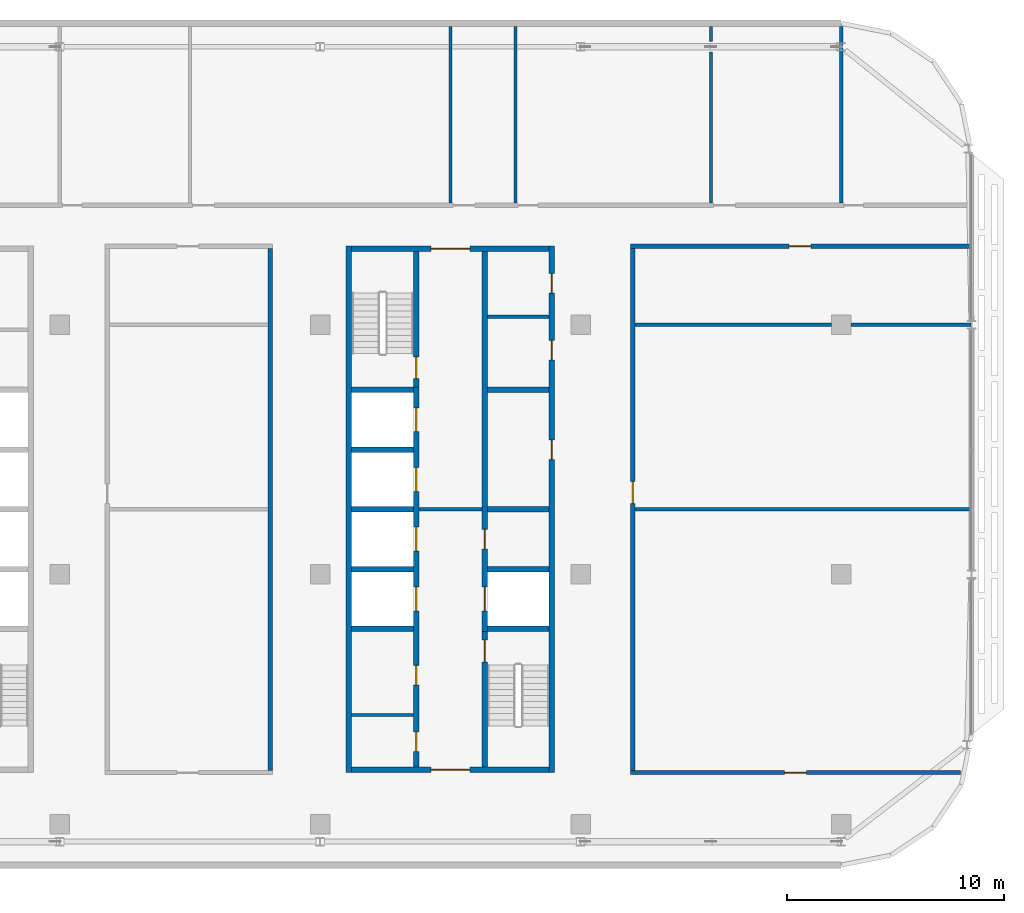
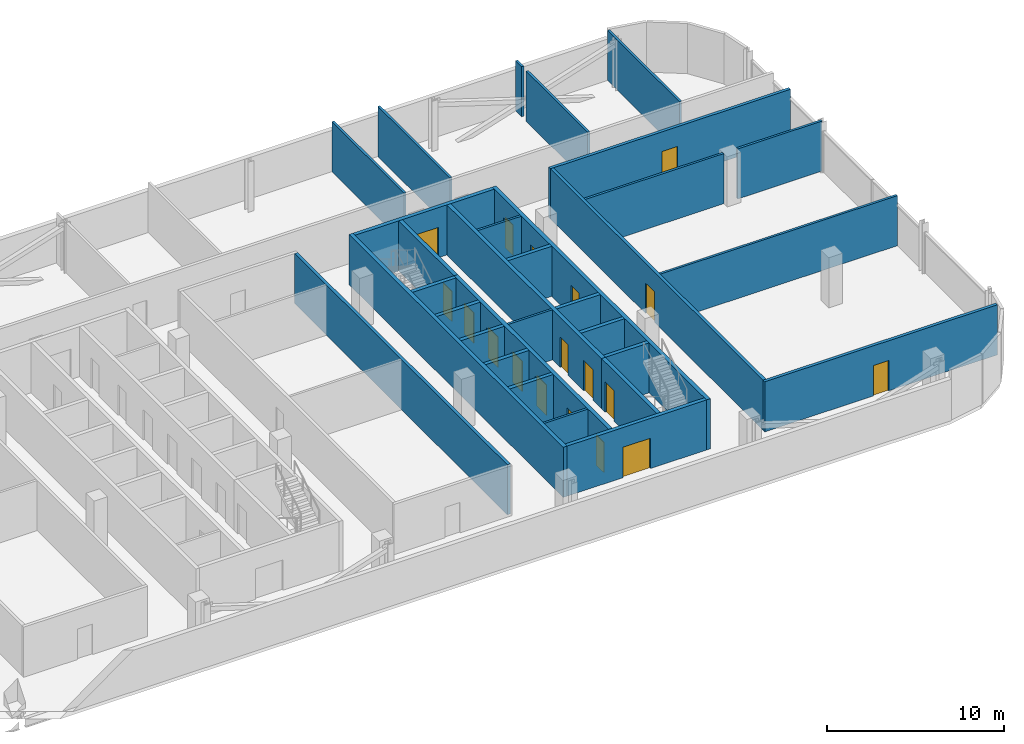
# One storey, part 18 of 28: 32 walls, 18 doors, 18 openings.
"""IFC4 building model written with IfcOpenShell, lengths in metres."""

from ifc_helpers import new_model, si_unit, direction, frame, frame_2d, origin, place, context, subcontext, project, spatial, rectangle, extrude, material, layer, layer_set, type_object, element, fill, save


model = new_model("IFC4")

# Units and contexts
model_context = context("Model", 3, precision=1e-05, world=origin(), true_north=direction((0.0, 1.0)))
body_context = subcontext(model_context, "Body", "Model", "MODEL_VIEW")
ifc_project = project(units=[si_unit("LENGTHUNIT", "METRE"), si_unit("AREAUNIT", "SQUARE_METRE"), si_unit("VOLUMEUNIT", "CUBIC_METRE"), si_unit("PLANEANGLEUNIT", "RADIAN"), si_unit("MASSUNIT", "GRAM", prefix="KILO")], contexts=[model_context])

# Site, building, storey
site_placement = place(None, origin())
site = spatial("IfcSite", under=ifc_project, at=site_placement, CompositionType="ELEMENT")
building_placement = place(site_placement, origin())
building = spatial("IfcBuilding", under=site, at=building_placement, Name="Mahtab Terrace Research Tower", CompositionType="ELEMENT")
storey_placement = place(building_placement, frame((0.0, 0.0, 270.89990234375)))
storey = spatial("IfcBuildingStorey", under=building, at=storey_placement, Name="L66", CompositionType="ELEMENT", Elevation=270.89990234375)

# Walls
ifc_material_1 = material(Name="Gypsum board partition")
ifc_layer_1 = layer(ifc_material_1, 0.14990234375)
ifc_layer_set_1 = layer_set([ifc_layer_1], Name="Core partition 150")
wall_type_1 = type_object("IfcWallType", Name="Core partition 150", PredefinedType="PARTITIONING", material=ifc_layer_set_1)
wall_1_placement = place(storey_placement, frame((22.550048828125, 3.0, 0.0), z_axis=(0.0, 0.0, 1.0), x_axis=(1.0, 0.0, 0.0)))
element("IfcWall", 1, at=wall_1_placement, inside=storey, type_object=wall_type_1, Name="Core wall C ffl", PredefinedType="PARTITIONING", context=body_context, shape_type="SweptSolid", body=[
    extrude(rectangle(XDim=2.89990234375, YDim=0.14990234375, at=frame_2d((1.449951171875, 0.0))), origin(), (0.0, 0.0, 1.0), 3.460205078125),
])
for number, where, z_axis, x_axis, name in (
    (2, (19.449951171875, -6.47509765625, 0.0), (0.0, 0.0, 1.0), (1.0, 0.0, 0.0), "Core wall C pWS-948"),
    (3, (25.699951171875, 11.875, 0.0), (0.0, 0.0, 1.0), (1.0, 0.0, 0.0), "Core wall C pEN888"),
):
    element("IfcWall", number, at=place(storey_placement, frame(where, z_axis=z_axis, x_axis=x_axis)), inside=storey, type_object=wall_type_1, Name=name, PredefinedType="PARTITIONING", context=body_context, shape_type="SweptSolid", body=[
        extrude(rectangle(XDim=2.85009765625, YDim=0.14990234375, at=frame_2d((1.425048828125, 0.0))), origin(), (0.0, 0.0, 1.0), 3.460205078125),
    ])
ifc_material_2 = material(Name="Concrete C70/85", Category="concrete")
ifc_layer_2 = layer(ifc_material_2, 0.25)
ifc_layer_set_2 = layer_set([ifc_layer_2], Name="Core wall 250")
wall_type_2 = type_object("IfcWallType", Name="Core wall 250", PredefinedType="SOLIDWALL", material=ifc_layer_set_2)
wall_2_placement = place(storey_placement, frame((19.324951171875, 15.125, 0.0), z_axis=(0.0, 0.0, 1.0), x_axis=(0.0, -1.0, 0.0)))
element("IfcWall", 4, at=wall_2_placement, inside=storey, type_object=wall_type_2, Name="Core wall C outerW", PredefinedType="SOLIDWALL", context=body_context, shape_type="SweptSolid", body=[
    extrude(rectangle(XDim=24.25, YDim=0.25, at=frame_2d((12.125, 0.0))), origin(), (0.0, 0.0, 1.0), 3.460205078125),
])

# Wall, openings, doors
wall_3_placement = place(storey_placement, frame((28.675048828125, -9.125, 0.0), z_axis=(0.0, 0.0, 1.0), x_axis=(0.0, 1.0, 0.0)))
wall_3 = element("IfcWall", 5, at=wall_3_placement, inside=storey, type_object=wall_type_2, Name="Core wall C outerE", PredefinedType="SOLIDWALL", context=body_context, shape_type="SweptSolid", body=[
    extrude(rectangle(XDim=24.25, YDim=0.25, at=frame_2d((12.125, 0.0))), origin(), (0.0, 0.0, 1.0), 3.460205078125),
])
opening_1_placement = place(wall_3_placement, frame((14.425048828125, 0.0, 0.0)))
opening_1 = element("IfcOpeningElement", 6, at=opening_1_placement, cuts=wall_3, Name="Opening C-R2", PredefinedType="OPENING", context=body_context, shape_type="SweptSolid", body=[
    extrude(rectangle(XDim=0.89990234375, YDim=2.10009765625, at=frame_2d((0.449951171875, 1.050048828125))), frame((0.0, 0.135009765625, 0.0), z_axis=(0.0, -1.0, 0.0), x_axis=(1.0, 0.0, 0.0)), (0.0, 0.0, 1.0), 0.27001953125),
])
opening_2_placement = place(wall_3_placement, frame((19.012451171875, 0.0, 0.0)))
opening_2 = element("IfcOpeningElement", 7, at=opening_2_placement, cuts=wall_3, Name="Opening C-R5", PredefinedType="OPENING", context=body_context, shape_type="SweptSolid", body=[
    extrude(rectangle(XDim=0.89990234375, YDim=2.10009765625, at=frame_2d((0.449951171875, 1.050048828125))), frame((0.0, 0.135009765625, 0.0), z_axis=(0.0, -1.0, 0.0), x_axis=(1.0, 0.0, 0.0)), (0.0, 0.0, 1.0), 0.27001953125),
])
opening_3_placement = place(wall_3_placement, frame((22.08740234375, 0.0, 0.0)))
opening_3 = element("IfcOpeningElement", 8, at=opening_3_placement, cuts=wall_3, Name="Opening C-R6", PredefinedType="OPENING", context=body_context, shape_type="SweptSolid", body=[
    extrude(rectangle(XDim=0.89990234375, YDim=2.10009765625, at=frame_2d((0.449951171875, 1.050048828125))), frame((0.0, 0.135009765625, 0.0), z_axis=(0.0, -1.0, 0.0), x_axis=(1.0, 0.0, 0.0)), (0.0, 0.0, 1.0), 0.27001953125),
])
ifc_material_3 = material(Name="Steel fire door", Category="steel")
door_type_1 = type_object("IfcDoorType", Name="Room door 900x2100 1 HR", OperationType="NOTDEFINED", PredefinedType="DOOR", material=ifc_material_3)
door_1_placement = place(opening_1_placement, origin())
door_1 = element("IfcDoor", 9, at=door_1_placement, inside=storey, type_object=door_type_1, Name="Plant room door", OperationType="SINGLE_SWING_RIGHT", OverallHeight=2.10009765625, OverallWidth=0.89990234375, PredefinedType="DOOR", context=body_context, shape_type="SweptSolid", body=[
    extrude(rectangle(XDim=0.89990234375, YDim=2.10009765625, at=frame_2d((0.449951171875, 1.050048828125))), frame((0.0, 0.02490234375, 0.0), z_axis=(0.0, -1.0, 0.0), x_axis=(1.0, 0.0, 0.0)), (0.0, 0.0, 1.0), 0.050048828125),
])
fill(opening_1, door_1)
door_2_placement = place(opening_2_placement, origin())
door_2 = element("IfcDoor", 10, at=door_2_placement, inside=storey, type_object=door_type_1, Name="Housekeeping store door", OperationType="SINGLE_SWING_LEFT", OverallHeight=2.10009765625, OverallWidth=0.89990234375, PredefinedType="DOOR", context=body_context, shape_type="SweptSolid", body=[
    extrude(rectangle(XDim=0.89990234375, YDim=2.10009765625, at=frame_2d((0.449951171875, 1.050048828125))), frame((0.0, 0.02490234375, 0.0), z_axis=(0.0, -1.0, 0.0), x_axis=(1.0, 0.0, 0.0)), (0.0, 0.0, 1.0), 0.050048828125),
])
fill(opening_2, door_2)
door_3_placement = place(opening_3_placement, origin())
door_3 = element("IfcDoor", 11, at=door_3_placement, inside=storey, type_object=door_type_1, Name="Electrical riser room door", OperationType="SINGLE_SWING_RIGHT", OverallHeight=2.10009765625, OverallWidth=0.89990234375, PredefinedType="DOOR", context=body_context, shape_type="SweptSolid", body=[
    extrude(rectangle(XDim=0.89990234375, YDim=2.10009765625, at=frame_2d((0.449951171875, 1.050048828125))), frame((0.0, 0.02490234375, 0.0), z_axis=(0.0, -1.0, 0.0), x_axis=(1.0, 0.0, 0.0)), (0.0, 0.0, 1.0), 0.050048828125),
])
fill(opening_3, door_3)

# Wall, opening, door
wall_4_placement = place(storey_placement, frame((28.550048828125, -9.0, 0.0), z_axis=(0.0, 0.0, 1.0), x_axis=(-1.0, 0.0, 0.0)))
wall_4 = element("IfcWall", 12, at=wall_4_placement, inside=storey, type_object=wall_type_2, Name="Core wall C endS", PredefinedType="SOLIDWALL", context=body_context, shape_type="SweptSolid", body=[
    extrude(rectangle(XDim=9.10009765625, YDim=0.25, at=frame_2d((4.550048828125, 0.0))), origin(), (0.0, 0.0, 1.0), 3.460205078125),
])
opening_4_placement = place(wall_4_placement, frame((3.64990234375, 0.0, 0.0)))
opening_4 = element("IfcOpeningElement", 13, at=opening_4_placement, cuts=wall_4, Name="Opening C-S1", PredefinedType="OPENING", context=body_context, shape_type="SweptSolid", body=[
    extrude(rectangle(XDim=1.800048828125, YDim=2.10009765625, at=frame_2d((0.89990234375, 1.050048828125))), frame((0.0, 0.135009765625, 0.0), z_axis=(0.0, -1.0, 0.0), x_axis=(1.0, 0.0, 0.0)), (0.0, 0.0, 1.0), 0.27001953125),
])
door_type_2 = type_object("IfcDoorType", Name="Lobby double door 1800x2100 1 HR", OperationType="DOUBLE_DOOR_SINGLE_SWING", PredefinedType="DOOR", material=ifc_material_3)
door_4_placement = place(opening_4_placement, origin())
door_4 = element("IfcDoor", 14, at=door_4_placement, inside=storey, type_object=door_type_2, Name="Core entrance door C S", OperationType="DOUBLE_DOOR_SINGLE_SWING", OverallHeight=2.10009765625, OverallWidth=1.800048828125, PredefinedType="DOOR", context=body_context, shape_type="SweptSolid", body=[
    extrude(rectangle(XDim=1.800048828125, YDim=2.10009765625, at=frame_2d((0.89990234375, 1.050048828125))), frame((0.0, 0.02490234375, 0.0), z_axis=(0.0, -1.0, 0.0), x_axis=(1.0, 0.0, 0.0)), (0.0, 0.0, 1.0), 0.050048828125),
])
fill(opening_4, door_4)

wall_5_placement = place(storey_placement, frame((19.449951171875, 15.0, 0.0), z_axis=(0.0, 0.0, 1.0), x_axis=(1.0, 0.0, 0.0)))
wall_5 = element("IfcWall", 15, at=wall_5_placement, inside=storey, type_object=wall_type_2, Name="Core wall C endN", PredefinedType="SOLIDWALL", context=body_context, shape_type="SweptSolid", body=[
    extrude(rectangle(XDim=9.10009765625, YDim=0.25, at=frame_2d((4.550048828125, 0.0))), origin(), (0.0, 0.0, 1.0), 3.460205078125),
])
opening_5_placement = place(wall_5_placement, frame((3.64990234375, 0.0, 0.0)))
opening_5 = element("IfcOpeningElement", 16, at=opening_5_placement, cuts=wall_5, Name="Opening C-N1", PredefinedType="OPENING", context=body_context, shape_type="SweptSolid", body=[
    extrude(rectangle(XDim=1.800048828125, YDim=2.10009765625, at=frame_2d((0.89990234375, 1.050048828125))), frame((0.0, 0.135009765625, 0.0), z_axis=(0.0, -1.0, 0.0), x_axis=(1.0, 0.0, 0.0)), (0.0, 0.0, 1.0), 0.27001953125),
])
door_5_placement = place(opening_5_placement, origin())
door_5 = element("IfcDoor", 17, at=door_5_placement, inside=storey, type_object=door_type_2, Name="Core entrance door C N", OperationType="DOUBLE_DOOR_SINGLE_SWING", OverallHeight=2.10009765625, OverallWidth=1.800048828125, PredefinedType="DOOR", context=body_context, shape_type="SweptSolid", body=[
    extrude(rectangle(XDim=1.800048828125, YDim=2.10009765625, at=frame_2d((0.89990234375, 1.050048828125))), frame((0.0, 0.02490234375, 0.0), z_axis=(0.0, -1.0, 0.0), x_axis=(1.0, 0.0, 0.0)), (0.0, 0.0, 1.0), 0.050048828125),
])
fill(opening_5, door_5)

# Wall, openings, doors
wall_6_placement = place(storey_placement, frame((22.425048828125, -8.875, 0.0), z_axis=(0.0, 0.0, 1.0), x_axis=(0.0, 1.0, 0.0)))
wall_6 = element("IfcWall", 18, at=wall_6_placement, inside=storey, type_object=wall_type_2, Name="Core wall C innerWSL", PredefinedType="SOLIDWALL", context=body_context, shape_type="SweptSolid", body=[
    extrude(rectangle(XDim=17.5, YDim=0.25, at=frame_2d((8.75, 0.0))), origin(), (0.0, 0.0, 1.0), 3.460205078125),
])
opening_6_placement = place(wall_6_placement, frame((7.199951171875, 0.0, 0.0)))
opening_6 = element("IfcOpeningElement", 19, at=opening_6_placement, cuts=wall_6, Name="Opening LD17-L66", PredefinedType="OPENING", context=body_context, shape_type="SweptSolid", body=[
    extrude(rectangle(XDim=1.10009765625, YDim=2.10009765625, at=frame_2d((0.550048828125, 1.050048828125))), frame((0.0, 0.135009765625, 0.0), z_axis=(0.0, -1.0, 0.0), x_axis=(1.0, 0.0, 0.0)), (0.0, 0.0, 1.0), 0.27001953125),
])
opening_7_placement = place(wall_6_placement, frame((9.949951171875, 0.0, 0.0)))
opening_7 = element("IfcOpeningElement", 20, at=opening_7_placement, cuts=wall_6, Name="Opening LD18-L66", PredefinedType="OPENING", context=body_context, shape_type="SweptSolid", body=[
    extrude(rectangle(XDim=1.10009765625, YDim=2.10009765625, at=frame_2d((0.550048828125, 1.050048828125))), frame((0.0, 0.135009765625, 0.0), z_axis=(0.0, -1.0, 0.0), x_axis=(1.0, 0.0, 0.0)), (0.0, 0.0, 1.0), 0.27001953125),
])
opening_8_placement = place(wall_6_placement, frame((12.699951171875, 0.0, 0.0)))
opening_8 = element("IfcOpeningElement", 21, at=opening_8_placement, cuts=wall_6, Name="Opening LD19-L66", PredefinedType="OPENING", context=body_context, shape_type="SweptSolid", body=[
    extrude(rectangle(XDim=1.10009765625, YDim=2.10009765625, at=frame_2d((0.550048828125, 1.050048828125))), frame((0.0, 0.135009765625, 0.0), z_axis=(0.0, -1.0, 0.0), x_axis=(1.0, 0.0, 0.0)), (0.0, 0.0, 1.0), 0.27001953125),
])
opening_9_placement = place(wall_6_placement, frame((15.449951171875, 0.0, 0.0)))
opening_9 = element("IfcOpeningElement", 22, at=opening_9_placement, cuts=wall_6, Name="Opening LD20-L66", PredefinedType="OPENING", context=body_context, shape_type="SweptSolid", body=[
    extrude(rectangle(XDim=1.10009765625, YDim=2.10009765625, at=frame_2d((0.550048828125, 1.050048828125))), frame((0.0, 0.135009765625, 0.0), z_axis=(0.0, -1.0, 0.0), x_axis=(1.0, 0.0, 0.0)), (0.0, 0.0, 1.0), 0.27001953125),
])
opening_10_placement = place(wall_6_placement, frame((0.71240234375, 0.0, 0.0)))
opening_10 = element("IfcOpeningElement", 23, at=opening_10_placement, cuts=wall_6, Name="Opening C-R3", PredefinedType="OPENING", context=body_context, shape_type="SweptSolid", body=[
    extrude(rectangle(XDim=0.89990234375, YDim=2.10009765625, at=frame_2d((0.449951171875, 1.050048828125))), frame((0.0, 0.135009765625, 0.0), z_axis=(0.0, -1.0, 0.0), x_axis=(1.0, 0.0, 0.0)), (0.0, 0.0, 1.0), 0.27001953125),
])
opening_11_placement = place(wall_6_placement, frame((3.78759765625, 0.0, 0.0)))
opening_11 = element("IfcOpeningElement", 24, at=opening_11_placement, cuts=wall_6, Name="Opening C-R4", PredefinedType="OPENING", context=body_context, shape_type="SweptSolid", body=[
    extrude(rectangle(XDim=0.89990234375, YDim=2.10009765625, at=frame_2d((0.449951171875, 1.050048828125))), frame((0.0, 0.135009765625, 0.0), z_axis=(0.0, -1.0, 0.0), x_axis=(1.0, 0.0, 0.0)), (0.0, 0.0, 1.0), 0.27001953125),
])
ifc_material_4 = material(Name="Stainless steel AISI 304", Category="steel")
door_type_3 = type_object("IfcDoorType", Name="Landing door 1100x2100", OperationType="DOUBLE_DOOR_SLIDING", PredefinedType="DOOR", material=ifc_material_4)
door_6_placement = place(opening_6_placement, origin())
door_6 = element("IfcDoor", 25, at=door_6_placement, inside=storey, type_object=door_type_3, Name="Landing door SV1 L66", OperationType="DOUBLE_DOOR_SLIDING", OverallHeight=2.10009765625, OverallWidth=1.10009765625, PredefinedType="DOOR", context=body_context, shape_type="SweptSolid", body=[
    extrude(rectangle(XDim=1.10009765625, YDim=2.10009765625, at=frame_2d((0.550048828125, 1.050048828125))), frame((0.0, 0.02490234375, 0.0), z_axis=(0.0, -1.0, 0.0), x_axis=(1.0, 0.0, 0.0)), (0.0, 0.0, 1.0), 0.050048828125),
])
fill(opening_6, door_6)
door_7_placement = place(opening_7_placement, origin())
door_7 = element("IfcDoor", 26, at=door_7_placement, inside=storey, type_object=door_type_3, Name="Landing door SV2 L66", OperationType="DOUBLE_DOOR_SLIDING", OverallHeight=2.10009765625, OverallWidth=1.10009765625, PredefinedType="DOOR", context=body_context, shape_type="SweptSolid", body=[
    extrude(rectangle(XDim=1.10009765625, YDim=2.10009765625, at=frame_2d((0.550048828125, 1.050048828125))), frame((0.0, 0.02490234375, 0.0), z_axis=(0.0, -1.0, 0.0), x_axis=(1.0, 0.0, 0.0)), (0.0, 0.0, 1.0), 0.050048828125),
])
fill(opening_7, door_7)
door_8_placement = place(opening_8_placement, origin())
door_8 = element("IfcDoor", 27, at=door_8_placement, inside=storey, type_object=door_type_3, Name="Landing door FF1 L66", OperationType="DOUBLE_DOOR_SLIDING", OverallHeight=2.10009765625, OverallWidth=1.10009765625, PredefinedType="DOOR", context=body_context, shape_type="SweptSolid", body=[
    extrude(rectangle(XDim=1.10009765625, YDim=2.10009765625, at=frame_2d((0.550048828125, 1.050048828125))), frame((0.0, 0.02490234375, 0.0), z_axis=(0.0, -1.0, 0.0), x_axis=(1.0, 0.0, 0.0)), (0.0, 0.0, 1.0), 0.050048828125),
])
fill(opening_8, door_8)
door_9_placement = place(opening_9_placement, origin())
door_9 = element("IfcDoor", 28, at=door_9_placement, inside=storey, type_object=door_type_3, Name="Landing door FF2 L66", OperationType="DOUBLE_DOOR_SLIDING", OverallHeight=2.10009765625, OverallWidth=1.10009765625, PredefinedType="DOOR", context=body_context, shape_type="SweptSolid", body=[
    extrude(rectangle(XDim=1.10009765625, YDim=2.10009765625, at=frame_2d((0.550048828125, 1.050048828125))), frame((0.0, 0.02490234375, 0.0), z_axis=(0.0, -1.0, 0.0), x_axis=(1.0, 0.0, 0.0)), (0.0, 0.0, 1.0), 0.050048828125),
])
fill(opening_9, door_9)
door_10_placement = place(opening_10_placement, origin())
door_10 = element("IfcDoor", 29, at=door_10_placement, inside=storey, type_object=door_type_1, Name="Accessible WC door", OperationType="SINGLE_SWING_LEFT", OverallHeight=2.10009765625, OverallWidth=0.89990234375, PredefinedType="DOOR", context=body_context, shape_type="SweptSolid", body=[
    extrude(rectangle(XDim=0.89990234375, YDim=2.10009765625, at=frame_2d((0.449951171875, 1.050048828125))), frame((0.0, 0.02490234375, 0.0), z_axis=(0.0, -1.0, 0.0), x_axis=(1.0, 0.0, 0.0)), (0.0, 0.0, 1.0), 0.050048828125),
])
fill(opening_10, door_10)
door_11_placement = place(opening_11_placement, origin())
door_11 = element("IfcDoor", 30, at=door_11_placement, inside=storey, type_object=door_type_1, Name="WC block door", OperationType="SINGLE_SWING_RIGHT", OverallHeight=2.10009765625, OverallWidth=0.89990234375, PredefinedType="DOOR", context=body_context, shape_type="SweptSolid", body=[
    extrude(rectangle(XDim=0.89990234375, YDim=2.10009765625, at=frame_2d((0.449951171875, 1.050048828125))), frame((0.0, 0.02490234375, 0.0), z_axis=(0.0, -1.0, 0.0), x_axis=(1.0, 0.0, 0.0)), (0.0, 0.0, 1.0), 0.050048828125),
])
fill(opening_11, door_11)

# Wall, opening, door
wall_7_placement = place(storey_placement, frame((22.425048828125, 14.875, 0.0), z_axis=(0.0, 0.0, 1.0), x_axis=(0.0, -1.0, 0.0)))
wall_7 = element("IfcWall", 31, at=wall_7_placement, inside=storey, type_object=wall_type_2, Name="Core wall C innerWN", PredefinedType="SOLIDWALL", context=body_context, shape_type="SweptSolid", body=[
    extrude(rectangle(XDim=6.25, YDim=0.25, at=frame_2d((3.125, 0.0))), origin(), (0.0, 0.0, 1.0), 3.460205078125),
])
opening_12_placement = place(wall_7_placement, frame((4.85009765625, 0.0, 0.0)))
opening_12 = element("IfcOpeningElement", 32, at=opening_12_placement, cuts=wall_7, Name="Opening C-ST3", PredefinedType="OPENING", context=body_context, shape_type="SweptSolid", body=[
    extrude(rectangle(XDim=1.0, YDim=2.10009765625, at=frame_2d((0.5, 1.050048828125))), frame((0.0, 0.135009765625, 0.0), z_axis=(0.0, -1.0, 0.0), x_axis=(1.0, 0.0, 0.0)), (0.0, 0.0, 1.0), 0.27001953125),
])
door_type_4 = type_object("IfcDoorType", Name="Stair door 1000x2100 1.5 HR", OperationType="NOTDEFINED", PredefinedType="DOOR", material=ifc_material_3)
door_12_placement = place(opening_12_placement, origin())
door_12 = element("IfcDoor", 33, at=door_12_placement, inside=storey, type_object=door_type_4, Name="Stair door ST3 L66", OperationType="SINGLE_SWING_LEFT", OverallHeight=2.10009765625, OverallWidth=1.0, PredefinedType="DOOR", context=body_context, shape_type="SweptSolid", body=[
    extrude(rectangle(XDim=1.0, YDim=2.10009765625, at=frame_2d((0.5, 1.050048828125))), frame((0.0, 0.02490234375, 0.0), z_axis=(0.0, -1.0, 0.0), x_axis=(1.0, 0.0, 0.0)), (0.0, 0.0, 1.0), 0.050048828125),
])
fill(opening_12, door_12)

wall_8_placement = place(storey_placement, frame((25.574951171875, -8.875, 0.0), z_axis=(0.0, 0.0, 1.0), x_axis=(0.0, 1.0, 0.0)))
wall_8 = element("IfcWall", 34, at=wall_8_placement, inside=storey, type_object=wall_type_2, Name="Core wall C innerES", PredefinedType="SOLIDWALL", context=body_context, shape_type="SweptSolid", body=[
    extrude(rectangle(XDim=6.25, YDim=0.25, at=frame_2d((3.125, 0.0))), origin(), (0.0, 0.0, 1.0), 3.460205078125),
])
opening_13_placement = place(wall_8_placement, frame((4.85009765625, 0.0, 0.0)))
opening_13 = element("IfcOpeningElement", 35, at=opening_13_placement, cuts=wall_8, Name="Opening C-ST4", PredefinedType="OPENING", context=body_context, shape_type="SweptSolid", body=[
    extrude(rectangle(XDim=1.0, YDim=2.10009765625, at=frame_2d((0.5, 1.050048828125))), frame((0.0, 0.135009765625, 0.0), z_axis=(0.0, -1.0, 0.0), x_axis=(1.0, 0.0, 0.0)), (0.0, 0.0, 1.0), 0.27001953125),
])
door_13_placement = place(opening_13_placement, origin())
door_13 = element("IfcDoor", 36, at=door_13_placement, inside=storey, type_object=door_type_4, Name="Stair door ST4 L66", OperationType="SINGLE_SWING_RIGHT", OverallHeight=2.10009765625, OverallWidth=1.0, PredefinedType="DOOR", context=body_context, shape_type="SweptSolid", body=[
    extrude(rectangle(XDim=1.0, YDim=2.10009765625, at=frame_2d((0.5, 1.050048828125))), frame((0.0, 0.02490234375, 0.0), z_axis=(0.0, -1.0, 0.0), x_axis=(1.0, 0.0, 0.0)), (0.0, 0.0, 1.0), 0.050048828125),
])
fill(opening_13, door_13)

# Wall, openings, doors
wall_9_placement = place(storey_placement, frame((25.574951171875, 14.875, 0.0), z_axis=(0.0, 0.0, 1.0), x_axis=(0.0, -1.0, 0.0)))
wall_9 = element("IfcWall", 37, at=wall_9_placement, inside=storey, type_object=wall_type_2, Name="Core wall C innerELN", PredefinedType="SOLIDWALL", context=body_context, shape_type="SweptSolid", body=[
    extrude(rectangle(XDim=17.5, YDim=0.25, at=frame_2d((8.75, 0.0))), origin(), (0.0, 0.0, 1.0), 3.460205078125),
])
opening_14_placement = place(wall_9_placement, frame((15.449951171875, 0.0, 0.0)))
opening_14 = element("IfcOpeningElement", 38, at=opening_14_placement, cuts=wall_9, Name="Opening LD21-L66", PredefinedType="OPENING", context=body_context, shape_type="SweptSolid", body=[
    extrude(rectangle(XDim=1.10009765625, YDim=2.10009765625, at=frame_2d((0.550048828125, 1.050048828125))), frame((0.0, 0.135009765625, 0.0), z_axis=(0.0, -1.0, 0.0), x_axis=(1.0, 0.0, 0.0)), (0.0, 0.0, 1.0), 0.27001953125),
])
opening_15_placement = place(wall_9_placement, frame((12.800048828125, 0.0, 0.0)))
opening_15 = element("IfcOpeningElement", 39, at=opening_15_placement, cuts=wall_9, Name="Opening C-R1", PredefinedType="OPENING", context=body_context, shape_type="SweptSolid", body=[
    extrude(rectangle(XDim=0.89990234375, YDim=2.10009765625, at=frame_2d((0.449951171875, 1.050048828125))), frame((0.0, 0.135009765625, 0.0), z_axis=(0.0, -1.0, 0.0), x_axis=(1.0, 0.0, 0.0)), (0.0, 0.0, 1.0), 0.27001953125),
])
door_14_placement = place(opening_14_placement, origin())
door_14 = element("IfcDoor", 40, at=door_14_placement, inside=storey, type_object=door_type_3, Name="Landing door SV3 L66", OperationType="DOUBLE_DOOR_SLIDING", OverallHeight=2.10009765625, OverallWidth=1.10009765625, PredefinedType="DOOR", context=body_context, shape_type="SweptSolid", body=[
    extrude(rectangle(XDim=1.10009765625, YDim=2.10009765625, at=frame_2d((0.550048828125, 1.050048828125))), frame((0.0, 0.02490234375, 0.0), z_axis=(0.0, -1.0, 0.0), x_axis=(1.0, 0.0, 0.0)), (0.0, 0.0, 1.0), 0.050048828125),
])
fill(opening_14, door_14)
door_15_placement = place(opening_15_placement, origin())
door_15 = element("IfcDoor", 41, at=door_15_placement, inside=storey, type_object=door_type_1, Name="Plant room door", OperationType="SINGLE_SWING_LEFT", OverallHeight=2.10009765625, OverallWidth=0.89990234375, PredefinedType="DOOR", context=body_context, shape_type="SweptSolid", body=[
    extrude(rectangle(XDim=0.89990234375, YDim=2.10009765625, at=frame_2d((0.449951171875, 1.050048828125))), frame((0.0, 0.02490234375, 0.0), z_axis=(0.0, -1.0, 0.0), x_axis=(1.0, 0.0, 0.0)), (0.0, 0.0, 1.0), 0.050048828125),
])
fill(opening_15, door_15)

# Walls
for number, where, z_axis, x_axis, name in (
    (42, (19.449951171875, -2.5, 0.0), (0.0, 0.0, 1.0), (1.0, 0.0, 0.0), "Core wall C divW0"),
    (43, (19.449951171875, 0.25, 0.0), (0.0, 0.0, 1.0), (1.0, 0.0, 0.0), "Core wall C divW1"),
    (44, (19.449951171875, 3.0, 0.0), (0.0, 0.0, 1.0), (1.0, 0.0, 0.0), "Core wall C divW2"),
    (45, (19.449951171875, 5.75, 0.0), (0.0, 0.0, 1.0), (1.0, 0.0, 0.0), "Core wall C divW3"),
    (46, (19.449951171875, 8.5, 0.0), (0.0, 0.0, 1.0), (1.0, 0.0, 0.0), "Core wall C divW4"),
    (47, (25.699951171875, -2.5, 0.0), (0.0, 0.0, 1.0), (1.0, 0.0, 0.0), "Core wall C divE0"),
    (48, (25.699951171875, 0.25, 0.0), (0.0, 0.0, 1.0), (1.0, 0.0, 0.0), "Core wall C divE1"),
    (49, (25.699951171875, 3.0, 0.0), (0.0, 0.0, 1.0), (1.0, 0.0, 0.0), "Core wall C divE2"),
    (50, (25.699951171875, 8.5, 0.0), (0.0, 0.0, 1.0), (1.0, 0.0, 0.0), "Core wall C divE4"),
):
    element("IfcWall", number, at=place(storey_placement, frame(where, z_axis=z_axis, x_axis=x_axis)), inside=storey, type_object=wall_type_2, Name=name, PredefinedType="SOLIDWALL", context=body_context, shape_type="SweptSolid", body=[
        extrude(rectangle(XDim=2.85009765625, YDim=0.25, at=frame_2d((1.425048828125, 0.0))), origin(), (0.0, 0.0, 1.0), 3.460205078125),
    ])

# Wall, opening, door
ifc_material_5 = material(Name="Gypsum board corridor wall on steel studs", Category="steel")
ifc_layer_3 = layer(ifc_material_5, 0.199951171875)
ifc_layer_set_3 = layer_set([ifc_layer_3], Name="WALL CORRIDOR 200")
wall_type_3 = type_object("IfcWallType", Name="WALL CORRIDOR 200", PredefinedType="PARTITIONING", material=ifc_layer_set_3)
wall_10_placement = place(storey_placement, frame((32.300048828125, -9.125, 0.0), z_axis=(0.0, 0.0, 1.0), x_axis=(1.0, 0.0, 0.0)))
wall_10 = element("IfcWall", 51, at=wall_10_placement, inside=storey, type_object=wall_type_3, Name="L66-W004", PredefinedType="PARTITIONING", context=body_context, shape_type="SweptSolid", body=[
    extrude(rectangle(XDim=15.201904296875, YDim=0.199951171875, at=frame_2d((7.60107421875, 0.0))), origin(), (0.0, 0.0, 1.0), 3.460205078125),
])
opening_16_placement = place(wall_10_placement, frame((7.10009765625, 0.0, 0.0)))
opening_16 = element("IfcOpeningElement", 52, at=opening_16_placement, cuts=wall_10, Name="Opening L66-104", PredefinedType="OPENING", context=body_context, shape_type="SweptSolid", body=[
    extrude(rectangle(XDim=1.0, YDim=2.10009765625, at=frame_2d((0.5, 1.050048828125))), frame((0.0, 0.10986328125, 0.0), z_axis=(0.0, -1.0, 0.0), x_axis=(1.0, 0.0, 0.0)), (0.0, 0.0, 1.0), 0.219970703125),
])
ifc_material_6 = material(Name="Timber door leaf in steel frame", Category="steel")
door_type_5 = type_object("IfcDoorType", Name="DOOR 1000X2100 FD30S", OperationType="SINGLE_SWING_LEFT", PredefinedType="DOOR", material=ifc_material_6)
door_16_placement = place(opening_16_placement, origin())
door_16 = element("IfcDoor", 53, at=door_16_placement, inside=storey, type_object=door_type_5, Name="Door L66-104", OperationType="SINGLE_SWING_LEFT", OverallHeight=2.10009765625, OverallWidth=1.0, PredefinedType="DOOR", context=body_context, shape_type="SweptSolid", body=[
    extrude(rectangle(XDim=1.0, YDim=2.10009765625, at=frame_2d((0.5, 1.050048828125))), frame((0.0, 0.02490234375, 0.0), z_axis=(0.0, -1.0, 0.0), x_axis=(1.0, 0.0, 0.0)), (0.0, 0.0, 1.0), 0.050048828125),
])
fill(opening_16, door_16)

wall_11_placement = place(storey_placement, frame((32.300048828125, 15.125, 0.0), z_axis=(0.0, 0.0, 1.0), x_axis=(1.0, 0.0, 0.0)))
wall_11 = element("IfcWall", 54, at=wall_11_placement, inside=storey, type_object=wall_type_3, Name="L66-W018", PredefinedType="PARTITIONING", context=body_context, shape_type="SweptSolid", body=[
    extrude(rectangle(XDim=15.675048828125, YDim=0.199951171875, at=frame_2d((7.83740234375, 0.0))), origin(), (0.0, 0.0, 1.0), 3.460205078125),
])
opening_17_placement = place(wall_11_placement, frame((7.300048828125, 0.0, 0.0)))
opening_17 = element("IfcOpeningElement", 55, at=opening_17_placement, cuts=wall_11, Name="Opening L66-112", PredefinedType="OPENING", context=body_context, shape_type="SweptSolid", body=[
    extrude(rectangle(XDim=1.0, YDim=2.10009765625, at=frame_2d((0.5, 1.050048828125))), frame((0.0, 0.10986328125, 0.0), z_axis=(0.0, -1.0, 0.0), x_axis=(1.0, 0.0, 0.0)), (0.0, 0.0, 1.0), 0.219970703125),
])
door_17_placement = place(opening_17_placement, origin())
door_17 = element("IfcDoor", 56, at=door_17_placement, inside=storey, type_object=door_type_5, Name="Door L66-112", OperationType="SINGLE_SWING_LEFT", OverallHeight=2.10009765625, OverallWidth=1.0, PredefinedType="DOOR", context=body_context, shape_type="SweptSolid", body=[
    extrude(rectangle(XDim=1.0, YDim=2.10009765625, at=frame_2d((0.5, 1.050048828125))), frame((0.0, 0.02490234375, 0.0), z_axis=(0.0, -1.0, 0.0), x_axis=(1.0, 0.0, 0.0)), (0.0, 0.0, 1.0), 0.050048828125),
])
fill(opening_17, door_17)

# Wall
wall_12_placement = place(storey_placement, frame((15.699951171875, -9.02490234375, 0.0), z_axis=(0.0, 0.0, 1.0), x_axis=(0.0, 1.0, 0.0)))
element("IfcWall", 57, at=wall_12_placement, inside=storey, type_object=wall_type_3, Name="L66-W034", PredefinedType="PARTITIONING", context=body_context, shape_type="SweptSolid", body=[
    extrude(rectangle(XDim=24.0498046875, YDim=0.199951171875, at=frame_2d((12.02490234375, 0.0))), origin(), (0.0, 0.0, 1.0), 3.460205078125),
])

# Wall, opening, door
wall_13_placement = place(storey_placement, frame((32.39990234375, -9.02490234375, 0.0), z_axis=(0.0, 0.0, 1.0), x_axis=(0.0, 1.0, 0.0)))
wall_13 = element("IfcWall", 58, at=wall_13_placement, inside=storey, type_object=wall_type_3, Name="L66-W037", PredefinedType="PARTITIONING", context=body_context, shape_type="SweptSolid", body=[
    extrude(rectangle(XDim=24.0498046875, YDim=0.199951171875, at=frame_2d((12.02490234375, 0.0))), origin(), (0.0, 0.0, 1.0), 3.460205078125),
])
opening_18_placement = place(wall_13_placement, frame((12.300048828125, 0.0, 0.0)))
opening_18 = element("IfcOpeningElement", 59, at=opening_18_placement, cuts=wall_13, Name="Opening L66-108", PredefinedType="OPENING", context=body_context, shape_type="SweptSolid", body=[
    extrude(rectangle(XDim=1.0, YDim=2.10009765625, at=frame_2d((0.5, 1.050048828125))), frame((0.0, 0.10986328125, 0.0), z_axis=(0.0, -1.0, 0.0), x_axis=(1.0, 0.0, 0.0)), (0.0, 0.0, 1.0), 0.219970703125),
])
door_18_placement = place(opening_18_placement, origin())
door_18 = element("IfcDoor", 60, at=door_18_placement, inside=storey, type_object=door_type_5, Name="Door L66-108", OperationType="SINGLE_SWING_LEFT", OverallHeight=2.10009765625, OverallWidth=1.0, PredefinedType="DOOR", context=body_context, shape_type="SweptSolid", body=[
    extrude(rectangle(XDim=1.0, YDim=2.10009765625, at=frame_2d((0.5, 1.050048828125))), frame((0.0, 0.02490234375, 0.0), z_axis=(0.0, -1.0, 0.0), x_axis=(1.0, 0.0, 0.0)), (0.0, 0.0, 1.0), 0.050048828125),
])
fill(opening_18, door_18)

# Walls
ifc_material_7 = material(Name="Gypsum board partition on steel studs", Category="steel")
ifc_layer_4 = layer(ifc_material_7, 0.14990234375)
ifc_layer_set_4 = layer_set([ifc_layer_4], Name="WALL PARTITION 150")
wall_type_4 = type_object("IfcWallType", Name="WALL PARTITION 150", PredefinedType="PARTITIONING", material=ifc_layer_set_4)
wall_14_placement = place(storey_placement, frame((32.5, 3.0, 0.0), z_axis=(0.0, 0.0, 1.0), x_axis=(1.0, 0.0, 0.0)))
element("IfcWall", 61, at=wall_14_placement, inside=storey, type_object=wall_type_4, Name="L66-W008", PredefinedType="PARTITIONING", context=body_context, shape_type="SweptSolid", body=[
    extrude(rectangle(XDim=15.47509765625, YDim=0.14990234375, at=frame_2d((7.737548828125, 0.0))), origin(), (0.0, 0.0, 1.0), 3.460205078125),
])
wall_15_placement = place(storey_placement, frame((32.5, 11.5, 0.0), z_axis=(0.0, 0.0, 1.0), x_axis=(1.0, 0.0, 0.0)))
element("IfcWall", 62, at=wall_15_placement, inside=storey, type_object=wall_type_4, Name="L66-W013", PredefinedType="PARTITIONING", context=body_context, shape_type="SweptSolid", body=[
    extrude(rectangle(XDim=9.050048828125, YDim=0.14990234375, at=frame_2d((4.52490234375, 0.0))), origin(), (0.0, 0.0, 1.0), 3.460205078125),
])
wall_16_placement = place(storey_placement, frame((42.449951171875, 11.5, 0.0), z_axis=(0.0, 0.0, 1.0), x_axis=(1.0, 0.0, 0.0)))
element("IfcWall", 63, at=wall_16_placement, inside=storey, type_object=wall_type_4, Name="L66-W014", PredefinedType="PARTITIONING", context=body_context, shape_type="SweptSolid", body=[
    extrude(rectangle(XDim=5.525146484375, YDim=0.14990234375, at=frame_2d((2.7626953125, 0.0))), origin(), (0.0, 0.0, 1.0), 3.460205078125),
])
for number, where, z_axis, x_axis, name in (
    (64, (24.0, 17.10009765625, 0.0), (0.0, 0.0, 1.0), (0.0, 1.0, 0.0), "L66-W035"),
    (65, (27.0, 17.10009765625, 0.0), (0.0, 0.0, 1.0), (0.0, 1.0, 0.0), "L66-W036"),
):
    element("IfcWall", number, at=place(storey_placement, frame(where, z_axis=z_axis, x_axis=x_axis)), inside=storey, type_object=wall_type_4, Name=name, PredefinedType="PARTITIONING", context=body_context, shape_type="SweptSolid", body=[
        extrude(rectangle(XDim=8.139892578125, YDim=0.14990234375, at=frame_2d((4.06982421875, 0.0))), origin(), (0.0, 0.0, 1.0), 3.460205078125),
    ])
wall_17_placement = place(storey_placement, frame((36.0, 17.10009765625, 0.0), z_axis=(0.0, 0.0, 1.0), x_axis=(0.0, 1.0, 0.0)))
element("IfcWall", 66, at=wall_17_placement, inside=storey, type_object=wall_type_4, Name="L66-W038", PredefinedType="PARTITIONING", context=body_context, shape_type="SweptSolid", body=[
    extrude(rectangle(XDim=6.95458984375, YDim=0.14990234375, at=frame_2d((3.477294921875, 0.0))), origin(), (0.0, 0.0, 1.0), 3.460205078125),
])
wall_18_placement = place(storey_placement, frame((36.0, 24.559326171875, 0.0), z_axis=(0.0, 0.0, 1.0), x_axis=(0.0, 1.0, 0.0)))
element("IfcWall", 67, at=wall_18_placement, inside=storey, type_object=wall_type_4, Name="L66-W039", PredefinedType="PARTITIONING", context=body_context, shape_type="SweptSolid", body=[
    extrude(rectangle(XDim=0.6806640625, YDim=0.14990234375, at=frame_2d((0.34033203125, 0.0))), origin(), (0.0, 0.0, 1.0), 3.460205078125),
])
wall_19_placement = place(storey_placement, frame((42.0, 17.10009765625, 0.0), z_axis=(0.0, 0.0, 1.0), x_axis=(0.0, 1.0, 0.0)))
element("IfcWall", 68, at=wall_19_placement, inside=storey, type_object=wall_type_4, Name="L66-W040", PredefinedType="PARTITIONING", context=body_context, shape_type="SweptSolid", body=[
    extrude(rectangle(XDim=8.136962890625, YDim=0.14990234375, at=frame_2d((4.068359375, 0.0))), origin(), (0.0, 0.0, 1.0), 3.460205078125),
])

save(model, "model.ifc")
